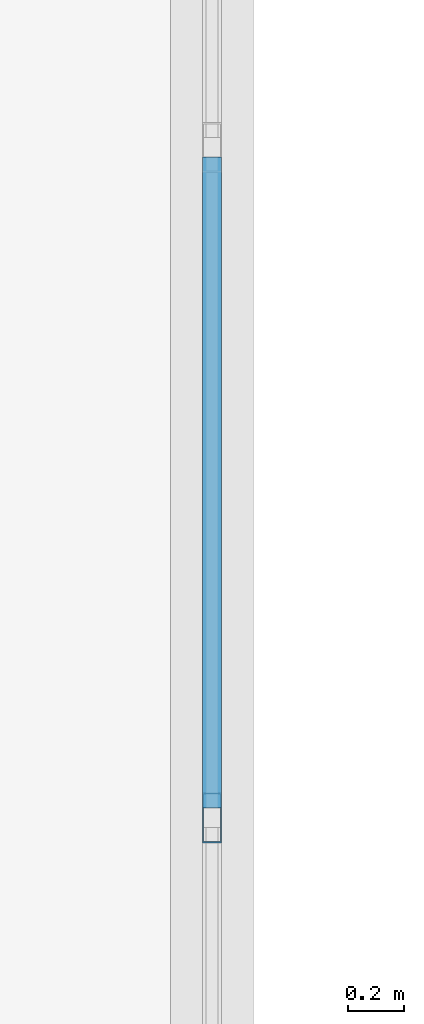
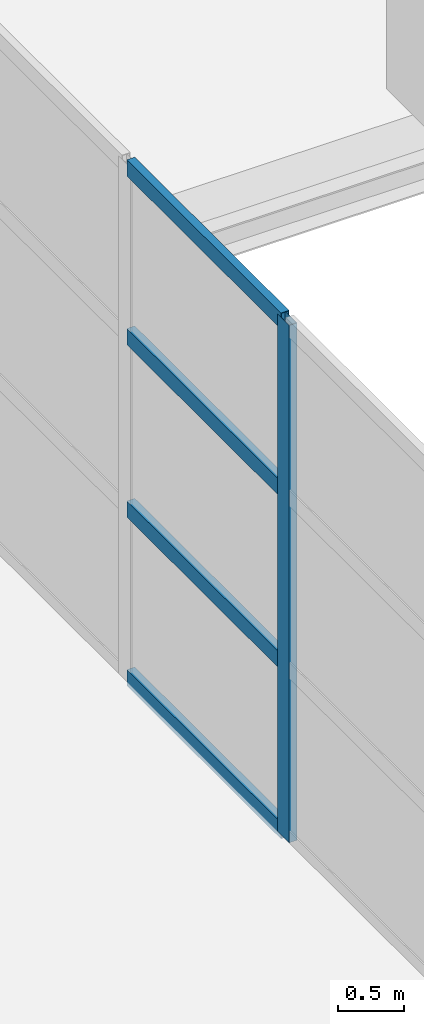
# One storey, part 56 of 147: 5 members, 1 element without a shape of its own.
"""IFC4 building model written with IfcOpenShell, lengths in metres."""

from ifc_helpers import new_model, si_unit, direction, frame, origin, origin_2d, place, context, subcontext, project, spatial, hollow_rectangle, extrude, material, layer, layer_set, material_profile, profile_set, type_object, element, aggregate, save


model = new_model("IFC4")

# Units and contexts
model_context = context("Model", 3, precision=1e-05, world=origin(), true_north=direction((0.0, 1.0)))
body_context = subcontext(model_context, "Body", "Model", "MODEL_VIEW")
ifc_project = project(units=[si_unit("LENGTHUNIT", "METRE"), si_unit("AREAUNIT", "SQUARE_METRE"), si_unit("VOLUMEUNIT", "CUBIC_METRE"), si_unit("PLANEANGLEUNIT", "RADIAN"), si_unit("MASSUNIT", "GRAM", prefix="KILO")], contexts=[model_context])

# Site, building, storey
site_placement = place(None, origin())
site = spatial("IfcSite", under=ifc_project, at=site_placement, CompositionType="ELEMENT")
building_placement = place(site_placement, origin())
building = spatial("IfcBuilding", under=site, at=building_placement, Name="Zilviju Railside Exhibition Hall", CompositionType="ELEMENT")
storey_placement = place(building_placement, frame((0.0, 0.0, 8.39990234375)))
storey = spatial("IfcBuildingStorey", under=building, at=storey_placement, Name="L03", CompositionType="ELEMENT", Elevation=8.39990234375)

# Curtain wall, members
ifc_material_1 = material(Name="Thermally broken aluminium-steel triple-glazed curtain wall", Category="steel")
ifc_layer = layer(ifc_material_1, 0.179931640625)
ifc_layer_set = layer_set([ifc_layer], Name="Thermally broken aluminium-steel triple-glazed curtain wall")
curtain_wall_type = type_object("IfcCurtainWallType", Name="CW-BAY-01", PredefinedType="USERDEFINED", material=ifc_layer_set)
curtain_wall_placement = place(storey_placement, origin())
curtain_wall = element("IfcCurtainWall", 1, at=curtain_wall_placement, inside=storey, type_object=curtain_wall_type, Name="South Hall West Upper Glazed Gable (36..54)", ObjectType="GLAZED CURTAIN WALL", PredefinedType="USERDEFINED")
ifc_material_2 = material(Name="Thermally broken anodized aluminium mullion", Category="aluminium")
ifc_material_profile_1 = material_profile(ifc_material_2, hollow_rectangle(XDim=0.070068359375, YDim=0.179931640625, WallThickness=0.0048828125, at=origin_2d()), Name="MULLION 180x70x5")
ifc_profile_set_1 = profile_set([ifc_material_profile_1], Name="Thermally broken anodized aluminium mullion")
member_type_1 = type_object("IfcMemberType", Name="CWM-70x180", PredefinedType="MULLION", material=ifc_profile_set_1)
member_1_placement = place(storey_placement, frame((78.0, 46.20703125, 0.0), z_axis=(0.0, 0.0, 1.0), x_axis=(-1.0, 0.0, 0.0)))
member_1 = element("IfcMember", 2, at=member_1_placement, type_object=member_type_1, Name="CW-01 mullion 5", PredefinedType="MULLION", context=body_context, shape_type="SweptSolid", body=[
    extrude(hollow_rectangle(XDim=0.070068359375, YDim=0.179931640625, WallThickness=0.0048828125, at=origin_2d()), origin(), (0.0, 0.0, 1.0), 4.800048828125),
])
ifc_material_3 = material(Name="Thermally broken anodized aluminium transom", Category="aluminium")
ifc_material_profile_2 = material_profile(ifc_material_3, hollow_rectangle(XDim=0.070068359375, YDim=0.14990234375, WallThickness=0.0048828125, at=origin_2d()), Name="TRANSOM 150x70x5")
ifc_profile_set_2 = profile_set([ifc_material_profile_2], Name="Thermally broken anodized aluminium transom")
member_type_2 = type_object("IfcMemberType", Name="CWT-70x150", PredefinedType="USERDEFINED", material=ifc_profile_set_2)
member_2_placement = place(storey_placement, frame((78.0, 46.2421875, 0.03515625), z_axis=(0.0, 1.0, 0.0), x_axis=(-1.0, 0.0, 0.0)))
member_2 = element("IfcMember", 3, at=member_2_placement, type_object=member_type_2, Name="CW-01 transom 5.1", ObjectType="TRANSOM", PredefinedType="USERDEFINED", context=body_context, shape_type="SweptSolid", body=[
    extrude(hollow_rectangle(XDim=0.070068359375, YDim=0.14990234375, WallThickness=0.0048828125, at=origin_2d()), origin(), (0.0, 0.0, 1.0), 2.34423828125),
])
member_3_placement = place(storey_placement, frame((78.0, 46.2421875, 1.60009765625), z_axis=(0.0, 1.0, 0.0), x_axis=(-1.0, 0.0, 0.0)))
member_3 = element("IfcMember", 4, at=member_3_placement, type_object=member_type_2, Name="CW-01 transom 5.2", ObjectType="TRANSOM", PredefinedType="USERDEFINED", context=body_context, shape_type="SweptSolid", body=[
    extrude(hollow_rectangle(XDim=0.070068359375, YDim=0.14990234375, WallThickness=0.0048828125, at=origin_2d()), origin(), (0.0, 0.0, 1.0), 2.34423828125),
])
member_4_placement = place(storey_placement, frame((78.0, 46.2421875, 3.2001953125), z_axis=(0.0, 1.0, 0.0), x_axis=(-1.0, 0.0, 0.0)))
member_4 = element("IfcMember", 5, at=member_4_placement, type_object=member_type_2, Name="CW-01 transom 5.3", ObjectType="TRANSOM", PredefinedType="USERDEFINED", context=body_context, shape_type="SweptSolid", body=[
    extrude(hollow_rectangle(XDim=0.070068359375, YDim=0.14990234375, WallThickness=0.0048828125, at=origin_2d()), origin(), (0.0, 0.0, 1.0), 2.34423828125),
])
member_5_placement = place(storey_placement, frame((78.0, 46.2421875, 4.76513671875), z_axis=(0.0, 1.0, 0.0), x_axis=(-1.0, 0.0, 0.0)))
member_5 = element("IfcMember", 6, at=member_5_placement, type_object=member_type_2, Name="CW-01 transom 5.4", ObjectType="TRANSOM", PredefinedType="USERDEFINED", context=body_context, shape_type="SweptSolid", body=[
    extrude(hollow_rectangle(XDim=0.070068359375, YDim=0.14990234375, WallThickness=0.0048828125, at=origin_2d()), origin(), (0.0, 0.0, 1.0), 2.34423828125),
])
aggregate(curtain_wall, [member_1, member_2, member_3, member_4, member_5])

save(model, "model.ifc")
